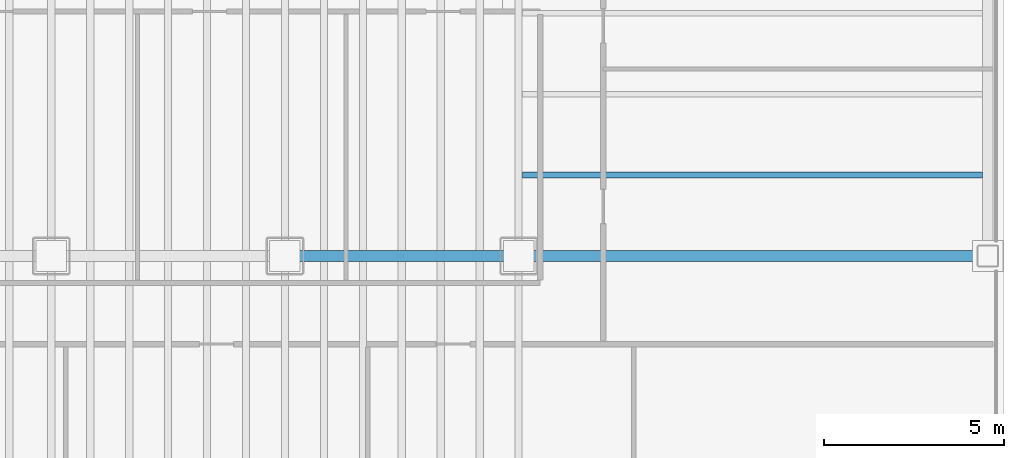
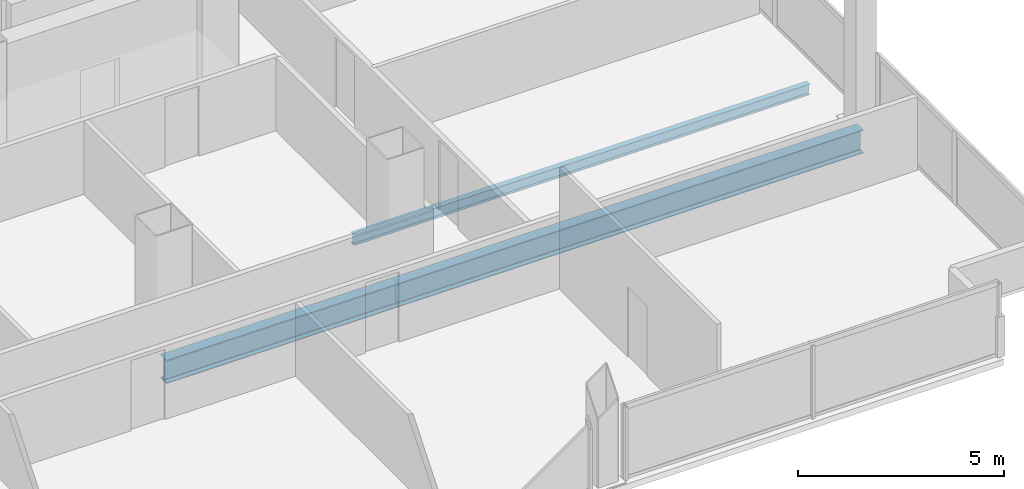
# One storey, part 10 of 21: 3 beams.
"""IFC4 building model written with IfcOpenShell, lengths in metres."""

import ifcopenshell
import ifcopenshell.guid

model = None  # the IFC model being written
_history = None  # IfcOwnerHistory: only IFC2X3 demands one
_inside = {}  # id of a spatial element -> (the spatial element, [elements in it])
_under = {}  # id of a project, library or spatial element -> (it, [spatial elements below it])
_declared = {}  # id of a project -> (the project, [libraries it declares])
_typed = {}  # id of a type object -> (the type object, [elements of that type])
_made_of = {}  # id of a material, layer set ... -> (it, [elements and type objects made of it])


def new_model(schema):
    """Start an empty IFC model of exactly this schema.

    Asked for "IFC4X3", IfcOpenShell would pick the latest addendum, in which some entities
    have other attributes; the version numbers below select the first issue.
    IFC2X3 requires an IfcOwnerHistory on every rooted entity: one is made here for all.
    """
    global model, _history
    if schema == "IFC4X3":
        model = ifcopenshell.file(schema_version=(4, 3, 0, 0))
    else:
        model = ifcopenshell.file(schema=schema)
    _inside.clear()
    _under.clear()
    _declared.clear()
    _typed.clear()
    _made_of.clear()
    _history = None
    if model.schema == "IFC2X3":
        org = make("IfcOrganization", Name="unknown")
        user = make(
            "IfcPersonAndOrganization",
            ThePerson=make("IfcPerson", FamilyName="unknown"),
            TheOrganization=org,
        )
        app = make(
            "IfcApplication",
            ApplicationDeveloper=org,
            Version="unknown",
            ApplicationFullName="unknown",
            ApplicationIdentifier="unknown",
        )
        _history = make(
            "IfcOwnerHistory",
            OwningUser=user,
            OwningApplication=app,
            ChangeAction="ADDED",
            CreationDate=0,
        )
    return model


def make(cls, **values):
    """One entity of the class cls with the attributes given. An attribute that is None is left unset."""
    return model.create_entity(
        cls, **{name: value for name, value in values.items() if value is not None}
    )


def rooted(cls, **values):
    """An entity with a GlobalId (a new one), such as an element, a storey or a relation."""
    return make(cls, GlobalId=ifcopenshell.guid.new(), OwnerHistory=_history, **values)


def si_unit(unit_type, name, prefix=None):
    """IfcSIUnit, for example si_unit("LENGTHUNIT", "METRE", prefix="MILLI")."""
    return make("IfcSIUnit", UnitType=unit_type, Prefix=prefix, Name=name)


def assignment(units):
    """IfcUnitAssignment: the units of a project."""
    return None if units is None else make("IfcUnitAssignment", Units=units)


def point(xyz):
    """IfcCartesianPoint."""
    return None if xyz is None else make("IfcCartesianPoint", Coordinates=xyz)


def direction(xyz):
    """IfcDirection."""
    return None if xyz is None else make("IfcDirection", DirectionRatios=xyz)


def frame(location, z_axis=None, x_axis=None):
    """IfcAxis2Placement3D, a coordinate frame: its origin and axes. An axis left out is left unset."""
    return make(
        "IfcAxis2Placement3D",
        Location=point(location),
        Axis=direction(z_axis),
        RefDirection=direction(x_axis),
    )


def frame_2d(location, x_axis=None):
    """IfcAxis2Placement2D, a coordinate frame in the plane: its origin and x axis."""
    return make(
        "IfcAxis2Placement2D", Location=point(location), RefDirection=direction(x_axis)
    )


def origin():
    """The frame at (0, 0, 0) with its axes left unset."""
    return frame((0.0, 0.0, 0.0))


def origin_2d():
    """The frame at (0, 0) in the plane with its x axis left unset."""
    return frame_2d((0.0, 0.0))


def place(relative_to, where):
    """IfcLocalPlacement: puts the frame where relative to a parent placement (None: the world)."""
    return make(
        "IfcLocalPlacement", PlacementRelTo=relative_to, RelativePlacement=where
    )


def context(
    kind, dimensions, precision=None, world=None, true_north=None, identifier=None
):
    """IfcGeometricRepresentationContext, for example the 3D "Model" context."""
    return make(
        "IfcGeometricRepresentationContext",
        ContextIdentifier=identifier,
        ContextType=kind,
        CoordinateSpaceDimension=dimensions,
        Precision=precision,
        WorldCoordinateSystem=world,
        TrueNorth=true_north,
    )


def subcontext(parent, identifier, kind, view, scale=None):
    """IfcGeometricRepresentationSubContext, for example "Body" below "Model"."""
    return make(
        "IfcGeometricRepresentationSubContext",
        ContextIdentifier=identifier,
        ContextType=kind,
        ParentContext=parent,
        TargetScale=scale,
        TargetView=view,
    )


def project(units=None, contexts=None):
    """IfcProject with its units and contexts."""
    return rooted(
        "IfcProject",
        Name="project",
        RepresentationContexts=contexts,
        UnitsInContext=assignment(units),
    )


def spatial(cls, under=None, at=None, **own):
    """A site, building, storey or space (cls), placed at a placement, below another one or the project."""
    s = rooted(cls, ObjectPlacement=at, **own)
    if under is not None:
        _under.setdefault(under.id(), (under, []))[1].append(s)
    return s


def profile(cls, at=None, kind="AREA", **sizes):
    """A parametric profile (cls). Its sizes go by their IFC names, for example OverallWidth=200.0."""
    return make(cls, ProfileType=kind, Position=at, **sizes)


def i_section(**sizes):
    """IfcIShapeProfileDef."""
    return profile("IfcIShapeProfileDef", **sizes)


def extrude(swept, where, along, depth):
    """IfcExtrudedAreaSolid: the profile swept, set in the frame where, extruded along a direction by depth."""
    return make(
        "IfcExtrudedAreaSolid",
        SweptArea=swept,
        Position=where,
        ExtrudedDirection=direction(along),
        Depth=depth,
    )


def shape(context_of_items, identifier, shape_type, items):
    """IfcShapeRepresentation: the items that make up one representation, for example the "Body"."""
    return make(
        "IfcShapeRepresentation",
        ContextOfItems=context_of_items,
        RepresentationIdentifier=identifier,
        RepresentationType=shape_type,
        Items=items,
    )


def material(Name=None, Category=None):
    """IfcMaterial."""
    return make("IfcMaterial", Name=Name, Category=Category)


def material_profile(
    of_material, cross_section, Name=None, Category=None, Priority=None
):
    """IfcMaterialProfile: a cross section and its material."""
    return make(
        "IfcMaterialProfile",
        Name=Name,
        Material=of_material,
        Profile=cross_section,
        Priority=Priority,
        Category=Category,
    )


def profile_set(profiles, Name=None, composite=None):
    """IfcMaterialProfileSet."""
    return make(
        "IfcMaterialProfileSet",
        Name=Name,
        MaterialProfiles=profiles,
        CompositeProfile=composite,
    )


def made_of(thing, what):
    """Note that an element or type object is made of a material, layer set ...; save() writes the relation."""
    if what is not None:
        _made_of.setdefault(what.id(), (what, []))[1].append(thing)
    return thing


def type_object(cls, material=None, **own):
    """A type object (cls), such as IfcWallType, which elements share."""
    return made_of(rooted(cls, **own), material)


def element(
    cls,
    number,
    at=None,
    inside=None,
    cuts=None,
    type_object=None,
    material=None,
    context=None,
    identifier="Body",
    shape_type=None,
    held_by="IfcProductDefinitionShape",
    body=None,
    shapes=None,
    **own,
):
    """One element of the class cls, such as IfcWall. Its Tag is "e" and its number.

    at: its placement. inside: the storey or other place that contains it. cuts: it is an
    opening in that element (IfcRelVoidsElement). A single representation is given by context,
    identifier, shape_type and body (its items); several are given by shapes. held_by: the class
    of the entity that holds the representations. save() writes the other relations.
    """
    e = rooted(cls, Tag="e%d" % number, ObjectPlacement=at, **own)
    if body is not None:
        shapes = [shape(context, identifier, shape_type, body)]
    if shapes is not None:
        e.Representation = make(held_by, Representations=shapes)
    if inside is not None:
        _inside.setdefault(inside.id(), (inside, []))[1].append(e)
    if cuts is not None:
        rooted(
            "IfcRelVoidsElement", RelatingBuildingElement=cuts, RelatedOpeningElement=e
        )
    if type_object is not None:
        _typed.setdefault(type_object.id(), (type_object, []))[1].append(e)
    return made_of(e, material)


def aggregate(whole, parts):
    """IfcRelAggregates: a whole, such as a stair, and the parts it consists of."""
    return rooted("IfcRelAggregates", RelatingObject=whole, RelatedObjects=parts)


def save(model, path):
    """Write the relations noted so far, then the file.

    IfcRelAggregates (storeys below a building ...), IfcRelContainedInSpatialStructure (elements
    in a storey), IfcRelDefinesByType, IfcRelAssociatesMaterial and IfcRelDeclares: one each for
    every whole, place, type object, material and project.
    """
    for whole, parts in _under.values():
        aggregate(whole, parts)
    for where, things in _inside.values():
        rooted(
            "IfcRelContainedInSpatialStructure",
            RelatedElements=things,
            RelatingStructure=where,
        )
    for kind, things in _typed.values():
        rooted("IfcRelDefinesByType", RelatedObjects=things, RelatingType=kind)
    for what, things in _made_of.values():
        rooted("IfcRelAssociatesMaterial", RelatedObjects=things, RelatingMaterial=what)
    for by, libraries in _declared.values():
        rooted("IfcRelDeclares", RelatingContext=by, RelatedDefinitions=libraries)
    model.write(path)


model = new_model("IFC4")

# Units and contexts
model_context = context("Model", 3, precision=1e-05, world=origin(), true_north=direction((0.0, 1.0)))
body_context = subcontext(model_context, "Body", "Model", "MODEL_VIEW")
ifc_project = project(units=[si_unit("LENGTHUNIT", "METRE"), si_unit("AREAUNIT", "SQUARE_METRE"), si_unit("VOLUMEUNIT", "CUBIC_METRE"), si_unit("PLANEANGLEUNIT", "RADIAN"), si_unit("MASSUNIT", "GRAM", prefix="KILO")], contexts=[model_context])

# Site, building, storey
site_placement = place(None, origin())
site = spatial("IfcSite", under=ifc_project, at=site_placement, CompositionType="ELEMENT")
building_placement = place(site_placement, origin())
building = spatial("IfcBuilding", under=site, at=building_placement, Name="Noeulbin Bourse Tower", CompositionType="ELEMENT")
storey_placement = place(building_placement, frame((0.0, 0.0, 96.699951171875)))
storey = spatial("IfcBuildingStorey", under=building, at=storey_placement, Name="L24", CompositionType="ELEMENT", Elevation=96.699951171875)

# Beams
ifc_material = material(Name="Steel S355", Category="steel")
ifc_material_profile_1 = material_profile(ifc_material, i_section(OverallWidth=0.300048828125, OverallDepth=0.699951171875, WebThickness=0.012939453125, FlangeThickness=0.02392578125, FilletRadius=0.02392578125, at=origin_2d()), Name="H-700x300x13x24", Category="LoadBearing")
ifc_profile_set_1 = profile_set([ifc_material_profile_1], Name="Steel S355")
beam_type_1 = type_object("IfcBeamType", Name="BM-GRD-700", PredefinedType="USERDEFINED", material=ifc_profile_set_1)
beam_1_placement = place(storey_placement, frame((37.5, 20.0, -0.530029296875), z_axis=(1.0, 0.0, 0.0), x_axis=(0.0, 1.0, 0.0)))
element("IfcBeam", 1, at=beam_1_placement, inside=storey, type_object=beam_type_1, Name="Tower Primary Girder EW L24-1.5", ObjectType="GIRDER", PredefinedType="USERDEFINED", context=body_context, shape_type="SweptSolid", body=[
    extrude(i_section(OverallWidth=0.300048828125, OverallDepth=0.699951171875, WebThickness=0.012939453125, FlangeThickness=0.02392578125, FilletRadius=0.02392578125, at=origin_2d()), origin(), (0.0, 0.0, 1.0), 6.5),
])
beam_2_placement = place(storey_placement, frame((44.0, 20.0, -0.530029296875), z_axis=(1.0, 0.0, 0.0), x_axis=(0.0, 1.0, 0.0)))
element("IfcBeam", 2, at=beam_2_placement, inside=storey, type_object=beam_type_1, Name="Tower Primary Girder EW L24-1.6", ObjectType="GIRDER", PredefinedType="USERDEFINED", context=body_context, shape_type="SweptSolid", body=[
    extrude(i_section(OverallWidth=0.300048828125, OverallDepth=0.699951171875, WebThickness=0.012939453125, FlangeThickness=0.02392578125, FilletRadius=0.02392578125, at=origin_2d()), origin(), (0.0, 0.0, 1.0), 13.050048828125),
])
ifc_material_profile_2 = material_profile(ifc_material, i_section(OverallWidth=0.159912109375, OverallDepth=0.320068359375, WebThickness=0.006591796875, FlangeThickness=0.010009765625, FilletRadius=0.012939453125, at=origin_2d()), Name="H-320x160x6.5x10", Category="LoadBearing")
ifc_profile_set_2 = profile_set([ifc_material_profile_2], Name="Steel S355")
beam_type_2 = type_object("IfcBeamType", Name="BM-JST-320", PredefinedType="JOIST", material=ifc_profile_set_2)
beam_3_placement = place(storey_placement, frame((44.10009765625, 22.25, -0.33984375), z_axis=(1.0, 0.0, 0.0), x_axis=(0.0, 1.0, 0.0)))
element("IfcBeam", 3, at=beam_3_placement, inside=storey, type_object=beam_type_2, Name="Wing Composite Joist L24-E76", PredefinedType="JOIST", context=body_context, shape_type="SweptSolid", body=[
    extrude(i_section(OverallWidth=0.159912109375, OverallDepth=0.320068359375, WebThickness=0.006591796875, FlangeThickness=0.010009765625, FilletRadius=0.012939453125, at=origin_2d()), origin(), (0.0, 0.0, 1.0), 12.7998046875),
])

save(model, "model.ifc")
